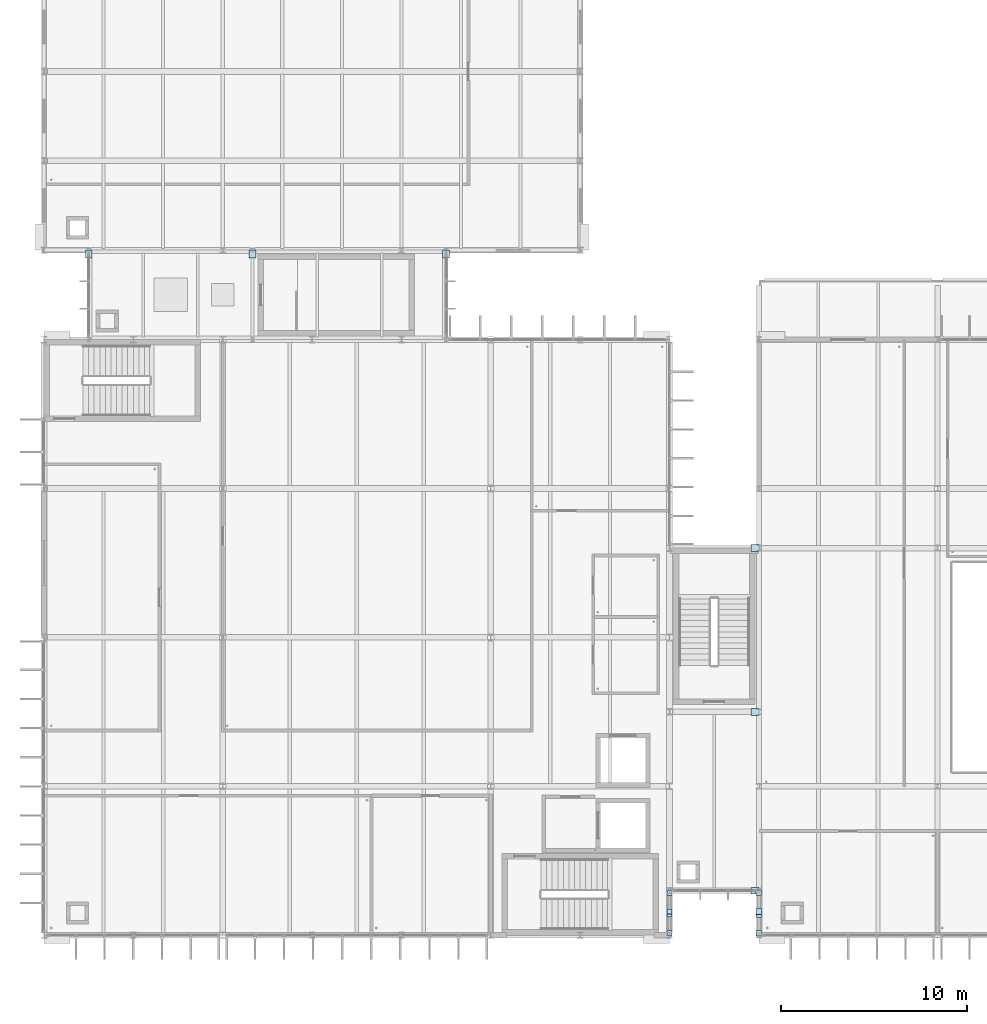
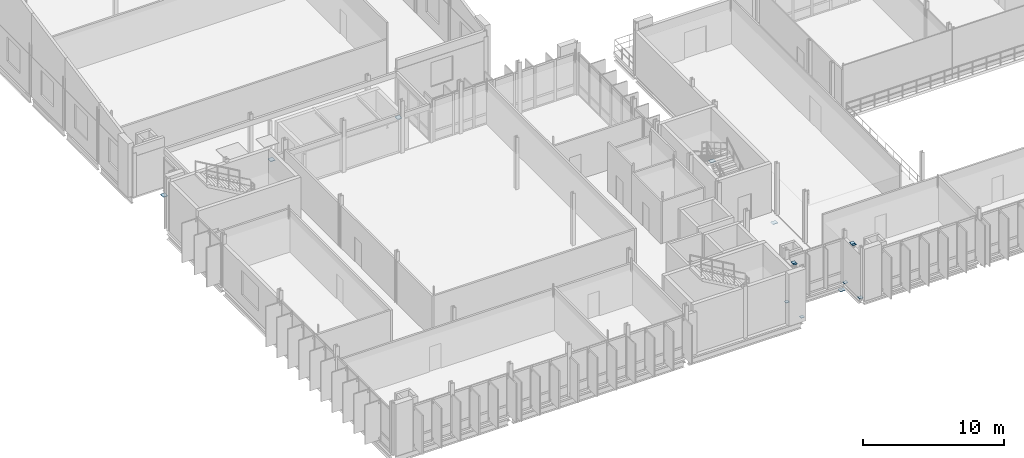
# One storey, part 48 of 93: 14 plates.
"""IFC4 building model written with IfcOpenShell, lengths in metres."""

from ifc_helpers import new_model, si_unit, direction, frame, origin, origin_2d, place, context, subcontext, project, spatial, rectangle, extrude, material, layer, layer_set, type_object, element, save


model = new_model("IFC4")

# Units and contexts
model_context = context("Model", 3, precision=1e-05, world=origin(), true_north=direction((0.0, 1.0)))
body_context = subcontext(model_context, "Body", "Model", "MODEL_VIEW")
ifc_project = project(units=[si_unit("LENGTHUNIT", "METRE"), si_unit("AREAUNIT", "SQUARE_METRE"), si_unit("VOLUMEUNIT", "CUBIC_METRE"), si_unit("PLANEANGLEUNIT", "RADIAN"), si_unit("MASSUNIT", "GRAM", prefix="KILO")], contexts=[model_context])

# Site, building, storey
site_placement = place(None, origin())
site = spatial("IfcSite", under=ifc_project, at=site_placement, CompositionType="ELEMENT")
building_placement = place(site_placement, origin())
building = spatial("IfcBuilding", under=site, at=building_placement, Name="Dunescarp Central Library", CompositionType="ELEMENT")
storey_placement = place(building_placement, frame((0.0, 0.0, 14.10009765625)))
storey = spatial("IfcBuildingStorey", under=building, at=storey_placement, Name="L03", CompositionType="ELEMENT", Elevation=14.10009765625)

# Plates
ifc_material = material(Name="Steel S355J0", Category="steel")
ifc_layer_1 = layer(ifc_material, 0.02001953125)
ifc_layer_set_1 = layer_set([ifc_layer_1], Name="Steel S355J0")
plate_type_1 = type_object("IfcPlateType", Name="STR-PLT-GUS1", PredefinedType="USERDEFINED", material=ifc_layer_set_1)
for number, where, z_axis, x_axis, name in (
    (1, (33.60009765625, 4.919921875, -0.01806640625), (0.0, 0.0, 1.0), (1.0, 0.0, 0.0), "Brace foot gusset plate GP-013"),
    (2, (33.60009765625, 7.080078125, -0.01806640625), (0.0, 0.0, 1.0), (1.0, 0.0, 0.0), "Brace foot gusset plate GP-015"),
):
    element("IfcPlate", number, at=place(storey_placement, frame(where, z_axis=z_axis, x_axis=x_axis)), inside=storey, type_object=plate_type_1, Name=name, ObjectType="GUSSET_PLATE", PredefinedType="USERDEFINED", context=body_context, shape_type="SweptSolid", body=[
        extrude(rectangle(XDim=0.279052734375, YDim=0.279052734375, at=origin_2d()), origin(), (0.0, 0.0, 1.0), 0.035888671875),
    ])
for number, where, z_axis, x_axis, name in (
    (3, (38.39990234375, 4.919921875, -0.01806640625), (0.0, 0.0, 1.0), (1.0, 0.0, 0.0), "Brace foot gusset plate GP-037"),
    (4, (38.39990234375, 7.080078125, -0.01806640625), (0.0, 0.0, 1.0), (1.0, 0.0, 0.0), "Brace foot gusset plate GP-039"),
):
    element("IfcPlate", number, at=place(storey_placement, frame(where, z_axis=z_axis, x_axis=x_axis)), inside=storey, type_object=plate_type_1, Name=name, ObjectType="GUSSET_PLATE", PredefinedType="USERDEFINED", context=body_context, shape_type="SweptSolid", body=[
        extrude(rectangle(XDim=0.303955078125, YDim=0.303955078125, at=origin_2d()), origin(), (0.0, 0.0, 1.0), 0.035888671875),
    ])
ifc_layer_2 = layer(ifc_material, 0.01611328125)
ifc_layer_set_2 = layer_set([ifc_layer_2], Name="Steel S355J0")
plate_type_2 = type_object("IfcPlateType", Name="STR-PLT-GUS2", PredefinedType="USERDEFINED", material=ifc_layer_set_2)
for number, where, z_axis, x_axis, name in (
    (5, (33.60009765625, 5.919921875, 3.9921875), (0.0, 0.0, 1.0), (1.0, 0.0, 0.0), "Brace apex gusset plate GP-014"),
    (6, (33.60009765625, 6.080078125, 3.9921875), (0.0, 0.0, 1.0), (1.0, 0.0, 0.0), "Brace apex gusset plate GP-016"),
):
    element("IfcPlate", number, at=place(storey_placement, frame(where, z_axis=z_axis, x_axis=x_axis)), inside=storey, type_object=plate_type_2, Name=name, ObjectType="GUSSET_PLATE", PredefinedType="USERDEFINED", context=body_context, shape_type="SweptSolid", body=[
        extrude(rectangle(XDim=0.279052734375, YDim=0.279052734375, at=origin_2d()), origin(), (0.0, 0.0, 1.0), 0.035888671875),
    ])
for number, where, z_axis, x_axis, name in (
    (7, (38.39990234375, 5.919921875, 3.9921875), (0.0, 0.0, 1.0), (1.0, 0.0, 0.0), "Brace apex gusset plate GP-038"),
    (8, (38.39990234375, 6.080078125, 3.9921875), (0.0, 0.0, 1.0), (1.0, 0.0, 0.0), "Brace apex gusset plate GP-040"),
):
    element("IfcPlate", number, at=place(storey_placement, frame(where, z_axis=z_axis, x_axis=x_axis)), inside=storey, type_object=plate_type_2, Name=name, ObjectType="GUSSET_PLATE", PredefinedType="USERDEFINED", context=body_context, shape_type="SweptSolid", body=[
        extrude(rectangle(XDim=0.303955078125, YDim=0.303955078125, at=origin_2d()), origin(), (0.0, 0.0, 1.0), 0.035888671875),
    ])
ifc_layer_3 = layer(ifc_material, 0.0400390625)
ifc_layer_set_3 = layer_set([ifc_layer_3], Name="Steel S355J0")
plate_type_3 = type_object("IfcPlateType", Name="STR-PLT-SEAT420", PredefinedType="USERDEFINED", material=ifc_layer_set_3)
for number, where, z_axis, x_axis, name in (
    (9, (38.18994140625, 7.199951171875, -0.670166015625), (0.0, 0.0, 1.0), (1.0, 0.0, 0.0), "L03 GL1 420 mm sliding link bearing seat BRG-01"),
    (10, (38.18994140625, 16.800048828125, -0.670166015625), (0.0, 0.0, 1.0), (1.0, 0.0, 0.0), "L03 GL1 420 mm sliding link bearing seat BRG-01"),
    (11, (38.18994140625, 25.60009765625, -0.670166015625), (0.0, 0.0, 1.0), (1.0, 0.0, 0.0), "L03 GL1 420 mm sliding link bearing seat BRG-01"),
    (12, (2.39990234375, 41.389892578125, -0.670166015625), (0.0, 0.0, 1.0), (0.0, 1.0, 0.0), "L03 GL4 420 mm sliding link bearing seat BRG-04"),
    (13, (11.199951171875, 41.389892578125, -0.670166015625), (0.0, 0.0, 1.0), (0.0, 1.0, 0.0), "L03 GL4 420 mm sliding link bearing seat BRG-04"),
    (14, (21.60009765625, 41.389892578125, -0.670166015625), (0.0, 0.0, 1.0), (0.0, 1.0, 0.0), "L03 GL4 420 mm sliding link bearing seat BRG-04"),
):
    element("IfcPlate", number, at=place(storey_placement, frame(where, z_axis=z_axis, x_axis=x_axis)), inside=storey, type_object=plate_type_3, Name=name, ObjectType="BASE_PLATE", PredefinedType="USERDEFINED", context=body_context, shape_type="SweptSolid", body=[
        extrude(rectangle(XDim=0.419921875, YDim=0.360107421875, at=origin_2d()), origin(), (0.0, 0.0, 1.0), 0.0400390625),
    ])

save(model, "model.ifc")
